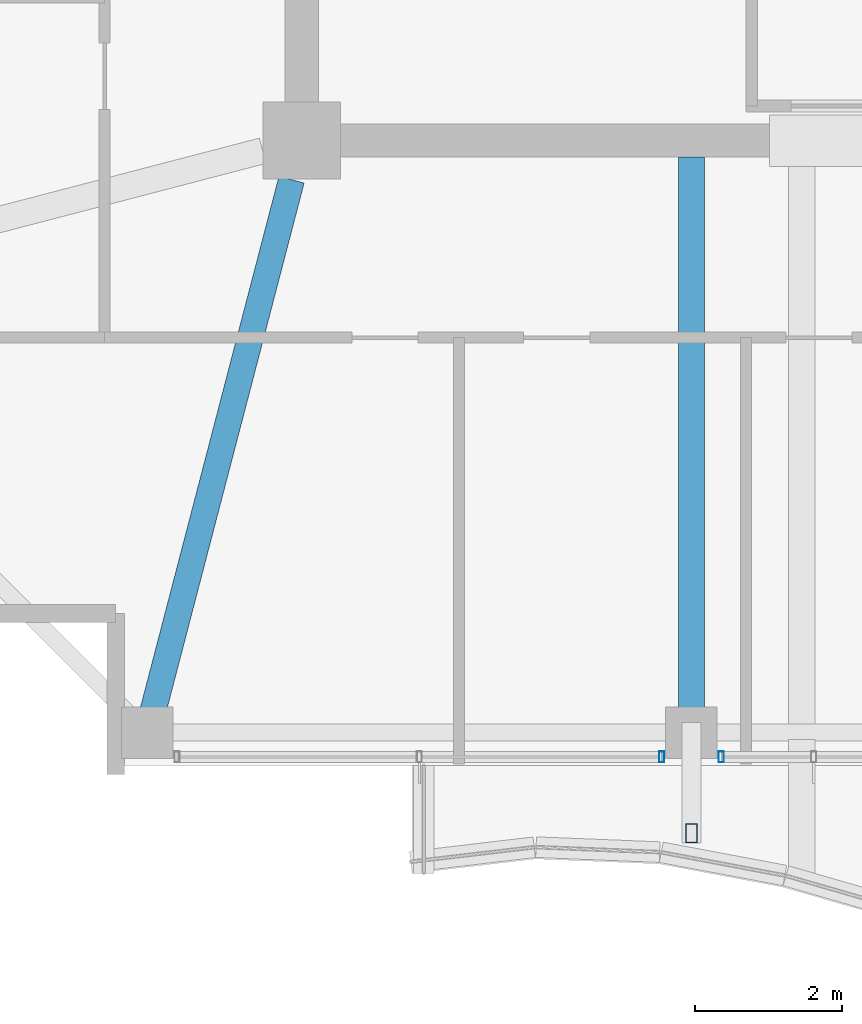
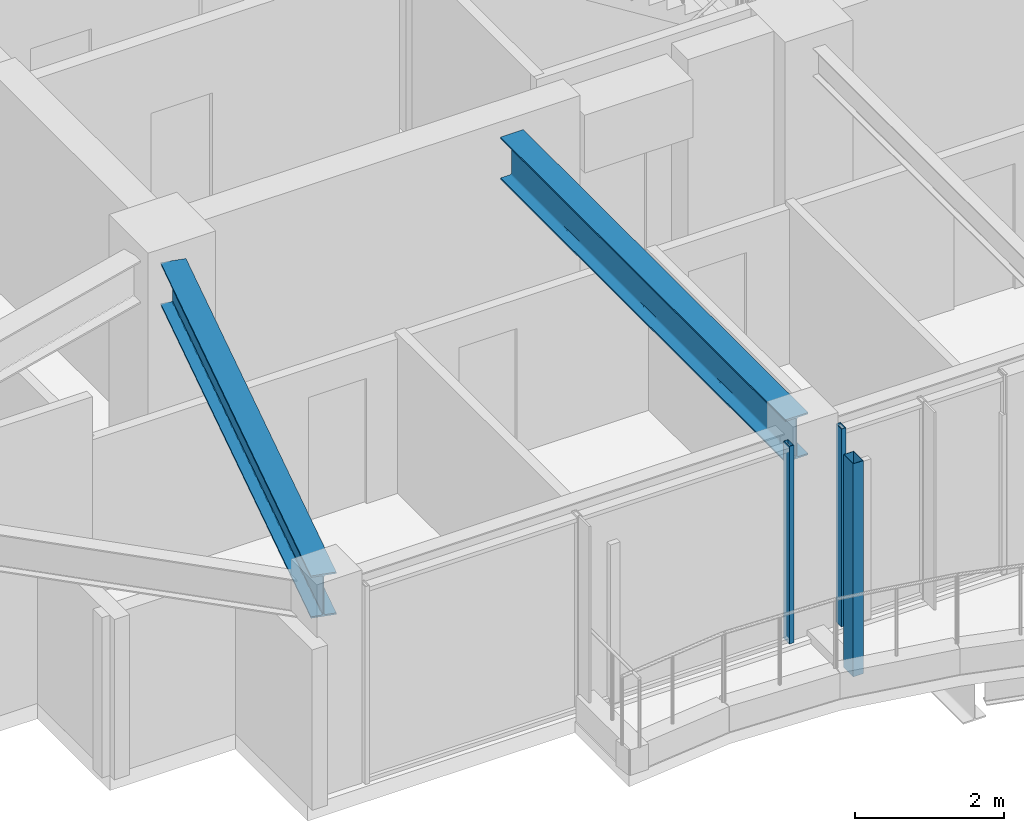
# One storey, part 3 of 31: 3 members, 2 beams, 2 elements without a shape of their own.
"""IFC4 building model written with IfcOpenShell, lengths in metres."""

from ifc_helpers import new_model, si_unit, direction, frame, origin, origin_2d, place, context, subcontext, project, spatial, hollow_rectangle, i_section, extrude, material, material_profile, profile_set, type_object, element, aggregate, save


model = new_model("IFC4")

# Units and contexts
model_context = context("Model", 3, precision=1e-05, world=origin(), true_north=direction((0.0, 1.0)))
body_context = subcontext(model_context, "Body", "Model", "MODEL_VIEW")
ifc_project = project(units=[si_unit("LENGTHUNIT", "METRE"), si_unit("AREAUNIT", "SQUARE_METRE"), si_unit("VOLUMEUNIT", "CUBIC_METRE"), si_unit("PLANEANGLEUNIT", "RADIAN"), si_unit("MASSUNIT", "GRAM", prefix="KILO")], contexts=[model_context])

# Site, building, storey
site_placement = place(None, origin())
site = spatial("IfcSite", under=ifc_project, at=site_placement, CompositionType="ELEMENT")
building_placement = place(site_placement, origin())
building = spatial("IfcBuilding", under=site, at=building_placement, Name="Kolvaren Belvedere", CompositionType="ELEMENT")
storey_placement = place(building_placement, frame((0.0, 0.0, 247.89990234375)))
storey = spatial("IfcBuildingStorey", under=building, at=storey_placement, Name="L72", CompositionType="ELEMENT", Elevation=247.89990234375)

# Beams
ifc_material_1 = material(Name="Structural steel ASTM A992 Grade 50", Category="steel")
ifc_material_profile_1 = material_profile(ifc_material_1, i_section(OverallWidth=0.35498046875, OverallDepth=0.696044921875, WebThickness=0.015380859375, FlangeThickness=0.02490234375, FilletRadius=0.02197265625, at=origin_2d()), Name="W27X146")
ifc_profile_set_1 = profile_set([ifc_material_profile_1], Name="Structural steel ASTM A992 Grade 50")
beam_type = type_object("IfcBeamType", Name="BM-GIRD-W27X146", PredefinedType="BEAM", material=ifc_profile_set_1)
beam_1_placement = place(storey_placement, frame((-4.60009765625, -10.125, 2.902099609375), z_axis=(0.0, -1.0, 0.0), x_axis=(1.0, 0.0, 0.0)))
element("IfcBeam", 1, at=beam_1_placement, inside=storey, type_object=beam_type, Name="L72 South Radial Girder M", PredefinedType="BEAM", context=body_context, shape_type="SweptSolid", body=[
    extrude(i_section(OverallWidth=0.35498046875, OverallDepth=0.696044921875, WebThickness=0.015380859375, FlangeThickness=0.02490234375, FilletRadius=0.02197265625, at=origin_2d()), origin(), (0.0, 0.0, 1.0), 7.66748046875),
])
beam_2_placement = place(storey_placement, frame((-10.038818359375, -10.43212890625, 2.902099609375), z_axis=(-0.25241668651, -0.967618631679, 0.0), x_axis=(0.967618631679, -0.25241668651, 0.0)))
element("IfcBeam", 2, at=beam_2_placement, inside=storey, type_object=beam_type, Name="L72 Corner Core-to-Perimeter Girder CC1-S1", PredefinedType="BEAM", context=body_context, shape_type="SweptSolid", body=[
    extrude(i_section(OverallWidth=0.35498046875, OverallDepth=0.696044921875, WebThickness=0.015380859375, FlangeThickness=0.02490234375, FilletRadius=0.02197265625, at=origin_2d()), origin(), (0.0, 0.0, 1.0), 7.62939453125),
])

# Curtain wall, member
ifc_material_2 = material(Name="Anodised pale-metal aluminium AA 6063-T6", Category="aluminium")
curtain_wall_type = type_object("IfcCurtainWallType", Name="CW-Z5-HIGH", PredefinedType="NOTDEFINED", material=ifc_material_2)
curtain_wall_1_placement = place(storey_placement, origin())
curtain_wall_1 = element("IfcCurtainWall", 3, at=curtain_wall_1_placement, inside=storey, type_object=curtain_wall_type, Name="L72 Unitised Curtain Wall FCW-L72-S2-B1", PredefinedType="NOTDEFINED")
ifc_material_3 = material(Name="Anodised pale-metal aluminium AA 6063-T6", Category="aluminium")
ifc_material_profile_2 = material_profile(ifc_material_3, hollow_rectangle(XDim=0.070068359375, YDim=0.14990234375, WallThickness=0.004150390625, at=origin_2d()), Name="ALU-MUL-150X70")
ifc_profile_set_2 = profile_set([ifc_material_profile_2], Name="Anodised pale-metal aluminium AA 6063-T6")
member_type_1 = type_object("IfcMemberType", Name="CW-MUL-150", PredefinedType="MULLION", material=ifc_profile_set_2)
member_1_placement = place(storey_placement, frame((-4.195068359375, -18.280029296875, 0.0), z_axis=(0.0, 0.0, 1.0), x_axis=(1.0, 0.0, 0.0)))
member_1 = element("IfcMember", 4, at=member_1_placement, type_object=member_type_1, Name="FCW-L72-S2-B1 Unitised Mullion 3", PredefinedType="MULLION", context=body_context, shape_type="SweptSolid", body=[
    extrude(hollow_rectangle(XDim=0.070068359375, YDim=0.14990234375, WallThickness=0.004150390625, at=origin_2d()), origin(), (0.0, 0.0, 1.0), 3.25),
])
aggregate(curtain_wall_1, [member_1])

curtain_wall_2_placement = place(storey_placement, origin())
curtain_wall_2 = element("IfcCurtainWall", 5, at=curtain_wall_2_placement, inside=storey, type_object=curtain_wall_type, Name="L72 Unitised Curtain Wall FCW-L72-S2-B2", PredefinedType="NOTDEFINED")
member_2_placement = place(storey_placement, frame((-5.0048828125, -18.280029296875, 0.0), z_axis=(0.0, 0.0, 1.0), x_axis=(1.0, 0.0, 0.0)))
member_2 = element("IfcMember", 6, at=member_2_placement, type_object=member_type_1, Name="FCW-L72-S2-B2 Unitised Mullion 1", PredefinedType="MULLION", context=body_context, shape_type="SweptSolid", body=[
    extrude(hollow_rectangle(XDim=0.070068359375, YDim=0.14990234375, WallThickness=0.004150390625, at=origin_2d()), origin(), (0.0, 0.0, 1.0), 3.25),
])
aggregate(curtain_wall_2, [member_2])

# Member
ifc_material_4 = material(Name="Anodised pale-metal aluminium AA 6063-T6", Category="aluminium")
ifc_material_profile_3 = material_profile(ifc_material_4, hollow_rectangle(XDim=0.159912109375, YDim=0.260009765625, WallThickness=0.006591796875, at=origin_2d()), Name="ALU-PF-260X160")
ifc_profile_set_3 = profile_set([ifc_material_profile_3], Name="Anodised pale-metal aluminium AA 6063-T6")
member_type_2 = type_object("IfcMemberType", Name="PF-FRAME-260", PredefinedType="USERDEFINED", material=ifc_profile_set_3)
member_3_placement = place(storey_placement, frame((-4.60009765625, -19.320068359375, 0.0), z_axis=(0.0, 0.0, 1.0), x_axis=(1.0, 0.0, 0.0)))
element("IfcMember", 7, at=member_3_placement, inside=storey, type_object=member_type_2, Name="L72 Outboard Picture-Frame Vertical S2", ObjectType="PICTURE FRAME FIN", PredefinedType="USERDEFINED", context=body_context, shape_type="SweptSolid", body=[
    extrude(hollow_rectangle(XDim=0.159912109375, YDim=0.260009765625, WallThickness=0.006591796875, at=origin_2d()), origin(), (0.0, 0.0, 1.0), 3.5),
])

save(model, "model.ifc")
